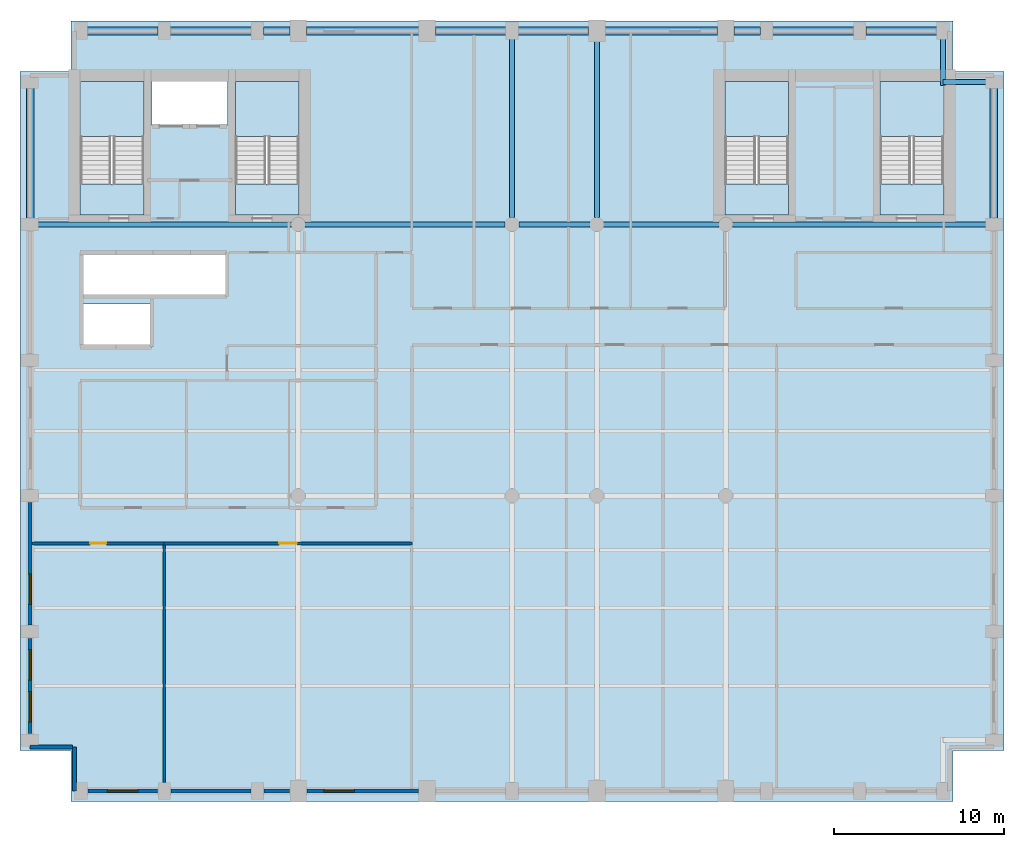
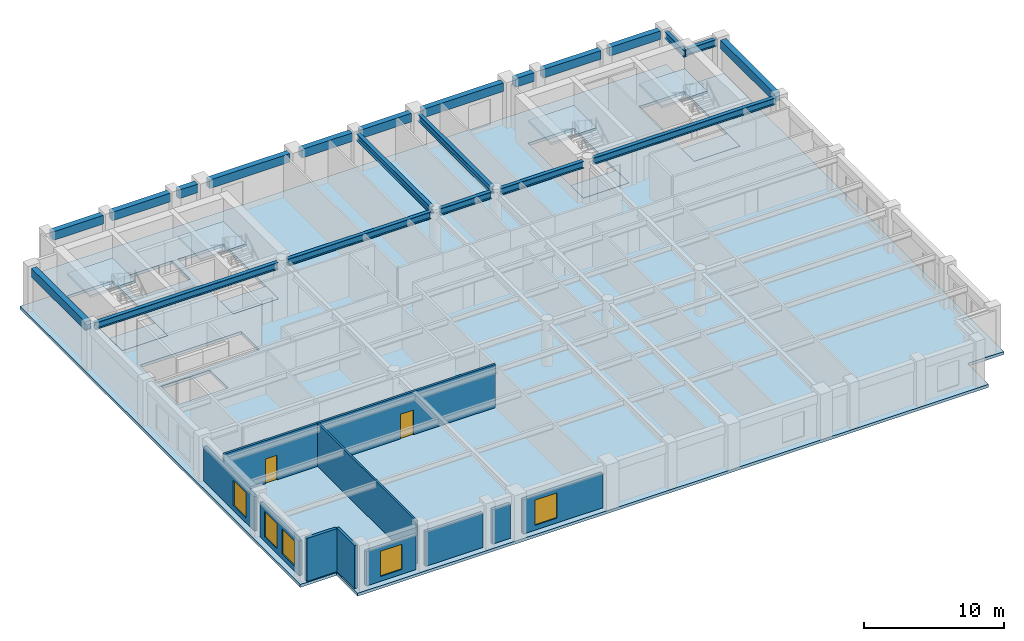
# One storey, part 2 of 8: 21 beams, 11 walls, 9 slabs, 5 windows, 2 doors, 7 openings, 4 elements without a shape of their own.
"""IFC4 building model written with IfcOpenShell, lengths in metres."""

from ifc_helpers import new_model, si_unit, direction, frame, frame_2d, origin, origin_2d, place, context, subcontext, project, spatial, polyline, rectangle, i_section, outline, extrude, material, layer, layer_set, material_profile, profile_set, type_object, element, fill, aggregate, save


model = new_model("IFC4")

# Units and contexts
model_context = context("Model", 3, precision=1e-05, world=origin(), true_north=direction((0.0, 1.0)))
body_context = subcontext(model_context, "Body", "Model", "MODEL_VIEW")
ifc_project = project(units=[si_unit("LENGTHUNIT", "METRE"), si_unit("AREAUNIT", "SQUARE_METRE"), si_unit("VOLUMEUNIT", "CUBIC_METRE"), si_unit("PLANEANGLEUNIT", "RADIAN"), si_unit("MASSUNIT", "GRAM", prefix="KILO")], contexts=[model_context])

# Site, building, storey
site_placement = place(None, origin())
site = spatial("IfcSite", under=ifc_project, at=site_placement, CompositionType="ELEMENT")
building_placement = place(site_placement, origin())
building = spatial("IfcBuilding", under=site, at=building_placement, Name="Sulina Concourse Tower", CompositionType="ELEMENT")
storey_placement = place(building_placement, frame((0.0, 0.0, 230.60009765625)))
storey = spatial("IfcBuildingStorey", under=building, at=storey_placement, Name="L56", CompositionType="ELEMENT", Elevation=230.60009765625)

# Beams
ifc_material_1 = material(Name="Steel S355", Category="steel")
ifc_material_profile_1 = material_profile(ifc_material_1, i_section(OverallWidth=0.300048828125, OverallDepth=0.60009765625, WebThickness=0.015380859375, FlangeThickness=0.030029296875, at=origin_2d()), Name="HE 600 B")
ifc_profile_set_1 = profile_set([ifc_material_profile_1], Name="Steel S355")
beam_type_1 = type_object("IfcBeamType", Name="Floor Primary Girder Zone 3 HE600B", PredefinedType="BEAM", material=ifc_profile_set_1)
beam_1_placement = place(storey_placement, frame((54.39990234375, 42.39990234375, 3.449951171875), z_axis=(1.0, 0.0, 0.0), x_axis=(0.0, 1.0, 0.0)))
element("IfcBeam", 1, at=beam_1_placement, inside=storey, type_object=beam_type_1, Name="TIE-NE-L56", PredefinedType="BEAM", context=body_context, shape_type="SweptSolid", body=[
    extrude(i_section(OverallWidth=0.300048828125, OverallDepth=0.60009765625, WebThickness=0.015380859375, FlangeThickness=0.030029296875, at=origin_2d()), origin(), (0.0, 0.0, 1.0), 2.64501953125),
])
beam_2_placement = place(storey_placement, frame((54.39990234375, 42.199951171875, 3.449951171875), z_axis=(0.0, 1.0, 0.0), x_axis=(-1.0, 0.0, 0.0)))
element("IfcBeam", 2, at=beam_2_placement, inside=storey, type_object=beam_type_1, Name="TIE-NEN-L56", PredefinedType="BEAM", context=body_context, shape_type="SweptSolid", body=[
    extrude(i_section(OverallWidth=0.300048828125, OverallDepth=0.60009765625, WebThickness=0.015380859375, FlangeThickness=0.030029296875, at=origin_2d()), origin(), (0.0, 0.0, 1.0), 2.844970703125),
])
beam_3_placement = place(storey_placement, frame((0.955078125, 34.0, 3.449951171875), z_axis=(1.0, 0.0, 0.0), x_axis=(0.0, 1.0, 0.0)))
element("IfcBeam", 3, at=beam_3_placement, inside=storey, type_object=beam_type_1, Name="FG-EWN1-L56", PredefinedType="BEAM", context=body_context, shape_type="SweptSolid", body=[
    extrude(i_section(OverallWidth=0.300048828125, OverallDepth=0.60009765625, WebThickness=0.015380859375, FlangeThickness=0.030029296875, at=origin_2d()), origin(), (0.0, 0.0, 1.0), 15.0400390625),
])
beam_4_placement = place(storey_placement, frame((16.804931640625, 34.0, 3.449951171875), z_axis=(1.0, 0.0, 0.0), x_axis=(0.0, 1.0, 0.0)))
element("IfcBeam", 4, at=beam_4_placement, inside=storey, type_object=beam_type_1, Name="FG-EWN2-L56", PredefinedType="BEAM", context=body_context, shape_type="SweptSolid", body=[
    extrude(i_section(OverallWidth=0.300048828125, OverallDepth=0.60009765625, WebThickness=0.015380859375, FlangeThickness=0.030029296875, at=origin_2d()), origin(), (0.0, 0.0, 1.0), 11.7900390625),
])
beam_5_placement = place(storey_placement, frame((29.405029296875, 34.0, 3.449951171875), z_axis=(1.0, 0.0, 0.0), x_axis=(0.0, 1.0, 0.0)))
element("IfcBeam", 5, at=beam_5_placement, inside=storey, type_object=beam_type_1, Name="FG-EWN3-L56", PredefinedType="BEAM", context=body_context, shape_type="SweptSolid", body=[
    extrude(i_section(OverallWidth=0.300048828125, OverallDepth=0.60009765625, WebThickness=0.015380859375, FlangeThickness=0.030029296875, at=origin_2d()), origin(), (0.0, 0.0, 1.0), 4.18994140625),
])
beam_6_placement = place(storey_placement, frame((34.405029296875, 34.0, 3.449951171875), z_axis=(1.0, 0.0, 0.0), x_axis=(0.0, 1.0, 0.0)))
element("IfcBeam", 6, at=beam_6_placement, inside=storey, type_object=beam_type_1, Name="FG-EWN4-L56", PredefinedType="BEAM", context=body_context, shape_type="SweptSolid", body=[
    extrude(i_section(OverallWidth=0.300048828125, OverallDepth=0.60009765625, WebThickness=0.015380859375, FlangeThickness=0.030029296875, at=origin_2d()), origin(), (0.0, 0.0, 1.0), 6.7900390625),
])
beam_7_placement = place(storey_placement, frame((42.0048828125, 34.0, 3.449951171875), z_axis=(1.0, 0.0, 0.0), x_axis=(0.0, 1.0, 0.0)))
element("IfcBeam", 7, at=beam_7_placement, inside=storey, type_object=beam_type_1, Name="FG-EWN5-L56", PredefinedType="BEAM", context=body_context, shape_type="SweptSolid", body=[
    extrude(i_section(OverallWidth=0.300048828125, OverallDepth=0.60009765625, WebThickness=0.015380859375, FlangeThickness=0.030029296875, at=origin_2d()), origin(), (0.0, 0.0, 1.0), 15.0400390625),
])
beam_8_placement = place(storey_placement, frame((29.0, 34.405029296875, 3.449951171875), z_axis=(0.0, 1.0, 0.0), x_axis=(-1.0, 0.0, 0.0)))
element("IfcBeam", 8, at=beam_8_placement, inside=storey, type_object=beam_type_1, Name="FG-NSC-29-L56", PredefinedType="BEAM", context=body_context, shape_type="SweptSolid", body=[
    extrude(i_section(OverallWidth=0.300048828125, OverallDepth=0.60009765625, WebThickness=0.015380859375, FlangeThickness=0.030029296875, at=origin_2d()), origin(), (0.0, 0.0, 1.0), 10.639892578125),
])
beam_9_placement = place(storey_placement, frame((34.0, 34.405029296875, 3.449951171875), z_axis=(0.0, 1.0, 0.0), x_axis=(-1.0, 0.0, 0.0)))
element("IfcBeam", 9, at=beam_9_placement, inside=storey, type_object=beam_type_1, Name="FG-NSC-34-L56", PredefinedType="BEAM", context=body_context, shape_type="SweptSolid", body=[
    extrude(i_section(OverallWidth=0.300048828125, OverallDepth=0.60009765625, WebThickness=0.015380859375, FlangeThickness=0.030029296875, at=origin_2d()), origin(), (0.0, 0.0, 1.0), 10.514892578125),
])
ifc_material_2 = material(Name="Precast concrete C50/60", Category="concrete")
ifc_material_profile_2 = material_profile(ifc_material_2, rectangle(XDim=0.449951171875, YDim=0.75, at=origin_2d()), Name="RC 450x750")
ifc_profile_set_2 = profile_set([ifc_material_profile_2], Name="Precast concrete C50/60")
beam_type_2 = type_object("IfcBeamType", Name="Upper Precast Spandrel Edge Beam 450x750", PredefinedType="BEAM", material=ifc_profile_set_2)
beam_10_placement = place(storey_placement, frame((3.955078125, 45.39990234375, 3.375), z_axis=(1.0, 0.0, 0.0), x_axis=(0.0, 1.0, 0.0)))
element("IfcBeam", 10, at=beam_10_placement, inside=storey, type_object=beam_type_2, Name="SP-N1-L56", PredefinedType="BEAM", context=body_context, shape_type="SweptSolid", body=[
    extrude(rectangle(XDim=0.449951171875, YDim=0.75, at=origin_2d()), origin(), (0.0, 0.0, 1.0), 4.18994140625),
])
beam_11_placement = place(storey_placement, frame((8.85498046875, 45.39990234375, 3.375), z_axis=(1.0, 0.0, 0.0), x_axis=(0.0, 1.0, 0.0)))
element("IfcBeam", 11, at=beam_11_placement, inside=storey, type_object=beam_type_2, Name="SP-N2-L56", PredefinedType="BEAM", context=body_context, shape_type="SweptSolid", body=[
    extrude(rectangle(XDim=0.449951171875, YDim=0.75, at=origin_2d()), origin(), (0.0, 0.0, 1.0), 4.7900390625),
])
beam_12_placement = place(storey_placement, frame((14.35498046875, 45.39990234375, 3.375), z_axis=(1.0, 0.0, 0.0), x_axis=(0.0, 1.0, 0.0)))
element("IfcBeam", 12, at=beam_12_placement, inside=storey, type_object=beam_type_2, Name="SP-N3-L56", PredefinedType="BEAM", context=body_context, shape_type="SweptSolid", body=[
    extrude(rectangle(XDim=0.449951171875, YDim=0.75, at=origin_2d()), origin(), (0.0, 0.0, 1.0), 1.56494140625),
])
beam_13_placement = place(storey_placement, frame((16.8798828125, 45.39990234375, 3.375), z_axis=(1.0, 0.0, 0.0), x_axis=(0.0, 1.0, 0.0)))
element("IfcBeam", 13, at=beam_13_placement, inside=storey, type_object=beam_type_2, Name="SP-N4-L56", PredefinedType="BEAM", context=body_context, shape_type="SweptSolid", body=[
    extrude(rectangle(XDim=0.449951171875, YDim=0.75, at=origin_2d()), origin(), (0.0, 0.0, 1.0), 6.64013671875),
])
for number, where, z_axis, x_axis, name in (
    (14, (24.47998046875, 45.39990234375, 3.375), (1.0, 0.0, 0.0), (0.0, 1.0, 0.0), "SP-N5-L56"),
    (15, (29.35498046875, 45.39990234375, 3.375), (1.0, 0.0, 0.0), (0.0, 1.0, 0.0), "SP-N6-L56"),
):
    element("IfcBeam", number, at=place(storey_placement, frame(where, z_axis=z_axis, x_axis=x_axis)), inside=storey, type_object=beam_type_2, Name=name, PredefinedType="BEAM", context=body_context, shape_type="SweptSolid", body=[
        extrude(rectangle(XDim=0.449951171875, YDim=0.75, at=origin_2d()), origin(), (0.0, 0.0, 1.0), 4.1650390625),
    ])
beam_14_placement = place(storey_placement, frame((34.47998046875, 45.39990234375, 3.375), z_axis=(1.0, 0.0, 0.0), x_axis=(0.0, 1.0, 0.0)))
element("IfcBeam", 16, at=beam_14_placement, inside=storey, type_object=beam_type_2, Name="SP-N7-L56", PredefinedType="BEAM", context=body_context, shape_type="SweptSolid", body=[
    extrude(rectangle(XDim=0.449951171875, YDim=0.75, at=origin_2d()), origin(), (0.0, 0.0, 1.0), 6.64013671875),
])
beam_15_placement = place(storey_placement, frame((42.080078125, 45.39990234375, 3.375), z_axis=(1.0, 0.0, 0.0), x_axis=(0.0, 1.0, 0.0)))
element("IfcBeam", 17, at=beam_15_placement, inside=storey, type_object=beam_type_2, Name="SP-N8-L56", PredefinedType="BEAM", context=body_context, shape_type="SweptSolid", body=[
    extrude(rectangle(XDim=0.449951171875, YDim=0.75, at=origin_2d()), origin(), (0.0, 0.0, 1.0), 1.56494140625),
])
beam_16_placement = place(storey_placement, frame((44.35498046875, 45.39990234375, 3.375), z_axis=(1.0, 0.0, 0.0), x_axis=(0.0, 1.0, 0.0)))
element("IfcBeam", 18, at=beam_16_placement, inside=storey, type_object=beam_type_2, Name="SP-N9-L56", PredefinedType="BEAM", context=body_context, shape_type="SweptSolid", body=[
    extrude(rectangle(XDim=0.449951171875, YDim=0.75, at=origin_2d()), origin(), (0.0, 0.0, 1.0), 4.7900390625),
])
beam_17_placement = place(storey_placement, frame((49.85498046875, 45.39990234375, 3.375), z_axis=(1.0, 0.0, 0.0), x_axis=(0.0, 1.0, 0.0)))
element("IfcBeam", 19, at=beam_17_placement, inside=storey, type_object=beam_type_2, Name="SP-N10-L56", PredefinedType="BEAM", context=body_context, shape_type="SweptSolid", body=[
    extrude(rectangle(XDim=0.449951171875, YDim=0.75, at=origin_2d()), origin(), (0.0, 0.0, 1.0), 4.18994140625),
])
for number, where, z_axis, x_axis, name in (
    (20, (0.60009765625, 34.35498046875, 3.375), (0.0, 1.0, 0.0), (-1.0, 0.0, 0.0), "SP-W5-L56"),
    (21, (57.39990234375, 34.35498046875, 3.375), (0.0, 1.0, 0.0), (-1.0, 0.0, 0.0), "SP-E5-L56"),
):
    element("IfcBeam", number, at=place(storey_placement, frame(where, z_axis=z_axis, x_axis=x_axis)), inside=storey, type_object=beam_type_2, Name=name, PredefinedType="BEAM", context=body_context, shape_type="SweptSolid", body=[
        extrude(rectangle(XDim=0.449951171875, YDim=0.75, at=origin_2d()), origin(), (0.0, 0.0, 1.0), 7.68994140625),
    ])

# Slabs
ifc_material_3 = material(Name="Concrete C50/60", Category="concrete")
ifc_layer_1 = layer(ifc_material_3, 0.25)
ifc_layer_set_1 = layer_set([ifc_layer_1], Name="Concrete C50/60")
slab_type_1 = type_object("IfcSlabType", Name="High-Rise Composite Floor Slab 250mm", PredefinedType="FLOOR", material=ifc_layer_set_1)
slab_1_placement = place(storey_placement, frame((0.0, 0.0, -0.25)))
element("IfcSlab", 22, at=slab_1_placement, inside=storey, type_object=slab_type_1, Name="L56 structural floor slab", PredefinedType="FLOOR", context=body_context, shape_type="SweptSolid", body=[
    extrude(outline(polyline([(3.0, 0.0), (55.0, 0.0), (55.0, 3.0), (58.0, 3.0), (58.0, 43.0), (55.0, 43.0), (55.0, 46.0), (3.0, 46.0), (3.0, 43.0), (0.0, 43.0), (0.0, 3.0), (3.0, 3.0), (3.0, 0.0)]), holes=[polyline([(7.31005859375, 34.550048828125), (7.31005859375, 42.429931640625), (3.550048828125, 42.429931640625), (3.550048828125, 34.550048828125), (7.31005859375, 34.550048828125)]), polyline([(16.449951171875, 34.550048828125), (16.449951171875, 42.429931640625), (12.68994140625, 42.429931640625), (12.68994140625, 34.550048828125), (16.449951171875, 34.550048828125)]), polyline([(45.31005859375, 34.550048828125), (45.31005859375, 42.429931640625), (41.550048828125, 42.429931640625), (41.550048828125, 34.550048828125), (45.31005859375, 34.550048828125)]), polyline([(54.449951171875, 34.550048828125), (54.449951171875, 42.429931640625), (50.68994140625, 42.429931640625), (50.68994140625, 34.550048828125), (54.449951171875, 34.550048828125)]), polyline([(7.780029296875, 39.830078125), (12.219970703125, 39.830078125), (12.219970703125, 42.449951171875), (7.780029296875, 42.449951171875), (7.780029296875, 39.830078125)]), polyline([(3.739990234375, 26.780029296875), (7.77001953125, 26.780029296875), (7.77001953125, 29.320068359375), (3.739990234375, 29.320068359375), (3.739990234375, 26.780029296875)]), polyline([(3.739990234375, 29.780029296875), (12.10009765625, 29.780029296875), (12.10009765625, 32.3701171875), (3.739990234375, 32.3701171875), (3.739990234375, 29.780029296875)])]), origin(), (0.0, 0.0, 1.0), 0.25),
])
ifc_material_4 = material(Name="Concrete C50/60", Category="concrete")
ifc_layer_2 = layer(ifc_material_4, 0.199951171875)
ifc_layer_set_2 = layer_set([ifc_layer_2], Name="Concrete C50/60")
slab_type_2 = type_object("IfcSlabType", Name="Primary Core Stair Landing Slab 200mm", PredefinedType="LANDING", material=ifc_layer_set_2)
slab_2_placement = place(storey_placement, frame((0.0, 0.0, -0.2001953125)))
element("IfcSlab", 23, at=slab_2_placement, inside=storey, type_object=slab_type_2, Name="L56 ST-1 floor landing slab", PredefinedType="LANDING", context=body_context, shape_type="SweptSolid", body=[
    extrude(outline(polyline([(7.31005859375, 34.550048828125), (7.31005859375, 36.375), (3.550048828125, 36.375), (3.550048828125, 34.550048828125), (7.31005859375, 34.550048828125)])), origin(), (0.0, 0.0, 1.0), 0.2001953125),
])
slab_3_placement = place(storey_placement, frame((0.0, 0.0, -0.2001953125)))
element("IfcSlab", 24, at=slab_3_placement, inside=storey, type_object=slab_type_2, Name="L56 ST-2 floor landing slab", PredefinedType="LANDING", context=body_context, shape_type="SweptSolid", body=[
    extrude(outline(polyline([(16.449951171875, 34.550048828125), (16.449951171875, 36.375), (12.68994140625, 36.375), (12.68994140625, 34.550048828125), (16.449951171875, 34.550048828125)])), origin(), (0.0, 0.0, 1.0), 0.2001953125),
])
slab_4_placement = place(storey_placement, frame((0.0, 0.0, -0.2001953125)))
element("IfcSlab", 25, at=slab_4_placement, inside=storey, type_object=slab_type_2, Name="L56 ST-3 floor landing slab", PredefinedType="LANDING", context=body_context, shape_type="SweptSolid", body=[
    extrude(outline(polyline([(45.31005859375, 34.550048828125), (45.31005859375, 36.375), (41.550048828125, 36.375), (41.550048828125, 34.550048828125), (45.31005859375, 34.550048828125)])), origin(), (0.0, 0.0, 1.0), 0.2001953125),
])
slab_5_placement = place(storey_placement, frame((0.0, 0.0, -0.2001953125)))
element("IfcSlab", 26, at=slab_5_placement, inside=storey, type_object=slab_type_2, Name="L56 ST-4 floor landing slab", PredefinedType="LANDING", context=body_context, shape_type="SweptSolid", body=[
    extrude(outline(polyline([(54.449951171875, 34.550048828125), (54.449951171875, 36.375), (50.68994140625, 36.375), (50.68994140625, 34.550048828125), (54.449951171875, 34.550048828125)])), origin(), (0.0, 0.0, 1.0), 0.2001953125),
])

# Stair, slab
ifc_material_5 = material(Name="Concrete C50/60", Category="concrete")
stair_type_1 = type_object("IfcStairType", Name="Primary Core Dog-Leg Exit Stair 1800mm", PredefinedType="HALF_TURN_STAIR", material=ifc_material_5)
stair_1_placement = place(storey_placement, origin())
stair_1 = element("IfcStair", 27, at=stair_1_placement, inside=storey, type_object=stair_type_1, Name="L56 ST-1", PredefinedType="HALF_TURN_STAIR")
slab_6_placement = place(storey_placement, frame((0.0, 0.0, 1.7998046875)))
slab_6 = element("IfcSlab", 28, at=slab_6_placement, type_object=slab_type_2, Name="ST-1 landing 1", PredefinedType="LANDING", context=body_context, shape_type="SweptSolid", body=[
    extrude(outline(polyline([(7.304931640625, 39.175048828125), (7.304931640625, 42.425048828125), (3.554931640625, 42.425048828125), (3.554931640625, 39.175048828125), (7.304931640625, 39.175048828125)])), origin(), (0.0, 0.0, 1.0), 0.2001953125),
])
aggregate(stair_1, [slab_6])

stair_2_placement = place(storey_placement, origin())
stair_2 = element("IfcStair", 29, at=stair_2_placement, inside=storey, type_object=stair_type_1, Name="L56 ST-2", PredefinedType="HALF_TURN_STAIR")
slab_7_placement = place(storey_placement, frame((0.0, 0.0, 1.7998046875)))
slab_7 = element("IfcSlab", 30, at=slab_7_placement, type_object=slab_type_2, Name="ST-2 landing 1", PredefinedType="LANDING", context=body_context, shape_type="SweptSolid", body=[
    extrude(outline(polyline([(16.445068359375, 39.175048828125), (16.445068359375, 42.425048828125), (12.695068359375, 42.425048828125), (12.695068359375, 39.175048828125), (16.445068359375, 39.175048828125)])), origin(), (0.0, 0.0, 1.0), 0.2001953125),
])
aggregate(stair_2, [slab_7])

ifc_material_6 = material(Name="Concrete C50/60", Category="concrete")
stair_type_2 = type_object("IfcStairType", Name="Portal & Podium Core Exit Stair 1820mm", PredefinedType="HALF_TURN_STAIR", material=ifc_material_6)
stair_3_placement = place(storey_placement, origin())
stair_3 = element("IfcStair", 31, at=stair_3_placement, inside=storey, type_object=stair_type_2, Name="L56 ST-3", PredefinedType="HALF_TURN_STAIR")
slab_8_placement = place(storey_placement, frame((0.0, 0.0, 1.7998046875)))
slab_8 = element("IfcSlab", 32, at=slab_8_placement, type_object=slab_type_2, Name="ST-3 landing 1", PredefinedType="LANDING", context=body_context, shape_type="SweptSolid", body=[
    extrude(outline(polyline([(45.304931640625, 39.175048828125), (45.304931640625, 42.425048828125), (41.554931640625, 42.425048828125), (41.554931640625, 39.175048828125), (45.304931640625, 39.175048828125)])), origin(), (0.0, 0.0, 1.0), 0.2001953125),
])
aggregate(stair_3, [slab_8])

stair_4_placement = place(storey_placement, origin())
stair_4 = element("IfcStair", 33, at=stair_4_placement, inside=storey, type_object=stair_type_2, Name="L56 ST-4", PredefinedType="HALF_TURN_STAIR")
slab_9_placement = place(storey_placement, frame((0.0, 0.0, 1.7998046875)))
slab_9 = element("IfcSlab", 34, at=slab_9_placement, type_object=slab_type_2, Name="ST-4 landing 1", PredefinedType="LANDING", context=body_context, shape_type="SweptSolid", body=[
    extrude(outline(polyline([(54.445068359375, 39.175048828125), (54.445068359375, 42.425048828125), (50.695068359375, 42.425048828125), (50.695068359375, 39.175048828125), (54.445068359375, 39.175048828125)])), origin(), (0.0, 0.0, 1.0), 0.2001953125),
])
aggregate(stair_4, [slab_9])

# Wall, opening, window
ifc_material_7 = material(Name="Precast concrete C50/60", Category="concrete")
ifc_layer_3 = layer(ifc_material_7, 0.239990234375)
ifc_layer_set_3 = layer_set([ifc_layer_3], Name="Precast concrete C50/60")
wall_type_1 = type_object("IfcWallType", Name="Crown Precast Masonry-Frame Facade Wall 240mm", PredefinedType="SOLIDWALL", material=ifc_layer_set_3)
wall_1_placement = place(storey_placement, frame((8.10498046875, 0.60009765625, 0.0), z_axis=(0.0, 0.0, 1.0), x_axis=(-1.0, 0.0, 0.0)))
wall_1 = element("IfcWall", 35, at=wall_1_placement, inside=storey, type_object=wall_type_1, Name="L56 exterior precast wall S1", PredefinedType="SOLIDWALL", context=body_context, shape_type="SweptSolid", body=[
    extrude(rectangle(XDim=4.10986328125, YDim=0.239990234375, at=frame_2d((2.054931640625, 0.0))), origin(), (0.0, 0.0, 1.0), 3.0),
])
opening_1_placement = place(wall_1_placement, frame((1.155029296875, 0.0, 0.419921875)))
opening_1 = element("IfcOpeningElement", 36, at=opening_1_placement, cuts=wall_1, Name="Opening WN-25", PredefinedType="OPENING", context=body_context, shape_type="SweptSolid", body=[
    extrude(rectangle(XDim=1.800048828125, YDim=2.199951171875, at=frame_2d((0.89990234375, 1.10009765625))), frame((0.0, 0.1298828125, 0.0), z_axis=(0.0, -1.0, 0.0), x_axis=(1.0, 0.0, 0.0)), (0.0, 0.0, 1.0), 0.260009765625),
])
ifc_material_8 = material(Name="Low-E solar double glazing in bronze aluminium", Category="aluminium")
window_type = type_object("IfcWindowType", Name="Punched Masonry-Frame Window 1800x2200", PartitioningType="SINGLE_PANEL", PredefinedType="WINDOW", material=ifc_material_8)
window_1_placement = place(opening_1_placement, origin())
window_1 = element("IfcWindow", 37, at=window_1_placement, inside=storey, type_object=window_type, Name="L56 punched window S1-1", OverallHeight=2.199951171875, OverallWidth=1.800048828125, PartitioningType="SINGLE_PANEL", PredefinedType="WINDOW", context=body_context, shape_type="SweptSolid", body=[
    extrude(rectangle(XDim=1.800048828125, YDim=2.199951171875, at=frame_2d((0.89990234375, 1.10009765625))), frame((0.0, 0.030029296875, 0.0), z_axis=(0.0, -1.0, 0.0), x_axis=(1.0, 0.0, 0.0)), (0.0, 0.0, 1.0), 0.06005859375),
])
fill(opening_1, window_1)

# Walls
wall_2_placement = place(storey_placement, frame((13.60498046875, 0.60009765625, 0.0), z_axis=(0.0, 0.0, 1.0), x_axis=(-1.0, 0.0, 0.0)))
element("IfcWall", 38, at=wall_2_placement, inside=storey, type_object=wall_type_1, Name="L56 exterior precast wall S2", PredefinedType="SOLIDWALL", context=body_context, shape_type="SweptSolid", body=[
    extrude(rectangle(XDim=4.7099609375, YDim=0.239990234375, at=frame_2d((2.35498046875, 0.0))), origin(), (0.0, 0.0, 1.0), 3.0),
])
wall_3_placement = place(storey_placement, frame((15.8798828125, 0.60009765625, 0.0), z_axis=(0.0, 0.0, 1.0), x_axis=(-1.0, 0.0, 0.0)))
element("IfcWall", 39, at=wall_3_placement, inside=storey, type_object=wall_type_1, Name="L56 exterior precast wall S3", PredefinedType="SOLIDWALL", context=body_context, shape_type="SweptSolid", body=[
    extrude(rectangle(XDim=1.48486328125, YDim=0.239990234375, at=frame_2d((0.742431640625, 0.0))), origin(), (0.0, 0.0, 1.0), 3.0),
])

# Wall, opening, window
wall_4_placement = place(storey_placement, frame((23.47998046875, 0.60009765625, 0.0), z_axis=(0.0, 0.0, 1.0), x_axis=(-1.0, 0.0, 0.0)))
wall_4 = element("IfcWall", 40, at=wall_4_placement, inside=storey, type_object=wall_type_1, Name="L56 exterior precast wall S4", PredefinedType="SOLIDWALL", context=body_context, shape_type="SweptSolid", body=[
    extrude(rectangle(XDim=6.56005859375, YDim=0.239990234375, at=frame_2d((3.280029296875, 0.0))), origin(), (0.0, 0.0, 1.0), 3.0),
])
opening_2_placement = place(wall_4_placement, frame((3.773193359375, 0.0, 0.419921875)))
opening_2 = element("IfcOpeningElement", 41, at=opening_2_placement, cuts=wall_4, Name="Opening WN-25", PredefinedType="OPENING", context=body_context, shape_type="SweptSolid", body=[
    extrude(rectangle(XDim=1.800048828125, YDim=2.199951171875, at=frame_2d((0.89990234375, 1.10009765625))), frame((0.0, 0.1298828125, 0.0), z_axis=(0.0, -1.0, 0.0), x_axis=(1.0, 0.0, 0.0)), (0.0, 0.0, 1.0), 0.260009765625),
])
window_2_placement = place(opening_2_placement, origin())
window_2 = element("IfcWindow", 42, at=window_2_placement, inside=storey, type_object=window_type, Name="L56 punched window S4-1", OverallHeight=2.199951171875, OverallWidth=1.800048828125, PartitioningType="SINGLE_PANEL", PredefinedType="WINDOW", context=body_context, shape_type="SweptSolid", body=[
    extrude(rectangle(XDim=1.800048828125, YDim=2.199951171875, at=frame_2d((0.89990234375, 1.10009765625))), frame((0.0, 0.030029296875, 0.0), z_axis=(0.0, -1.0, 0.0), x_axis=(1.0, 0.0, 0.0)), (0.0, 0.0, 1.0), 0.06005859375),
])
fill(opening_2, window_2)

# Wall, openings, windows
wall_5_placement = place(storey_placement, frame((0.60009765625, 3.9951171875, 0.0), z_axis=(0.0, 0.0, 1.0), x_axis=(0.0, 1.0, 0.0)))
wall_5 = element("IfcWall", 43, at=wall_5_placement, inside=storey, type_object=wall_type_1, Name="L56 exterior precast wall W1", PredefinedType="SOLIDWALL", context=body_context, shape_type="SweptSolid", body=[
    extrude(rectangle(XDim=5.60986328125, YDim=0.239990234375, at=frame_2d((2.804931640625, 0.0))), origin(), (0.0, 0.0, 1.0), 3.0),
])
opening_3_placement = place(wall_5_placement, frame((0.669921875, 0.0, 0.419921875)))
opening_3 = element("IfcOpeningElement", 44, at=opening_3_placement, cuts=wall_5, Name="Opening WN-25", PredefinedType="OPENING", context=body_context, shape_type="SweptSolid", body=[
    extrude(rectangle(XDim=1.800048828125, YDim=2.199951171875, at=frame_2d((0.89990234375, 1.10009765625))), frame((0.0, 0.1298828125, 0.0), z_axis=(0.0, -1.0, 0.0), x_axis=(1.0, 0.0, 0.0)), (0.0, 0.0, 1.0), 0.260009765625),
])
opening_4_placement = place(wall_5_placement, frame((3.139892578125, 0.0, 0.419921875)))
opening_4 = element("IfcOpeningElement", 45, at=opening_4_placement, cuts=wall_5, Name="Opening WN-25", PredefinedType="OPENING", context=body_context, shape_type="SweptSolid", body=[
    extrude(rectangle(XDim=1.800048828125, YDim=2.199951171875, at=frame_2d((0.89990234375, 1.10009765625))), frame((0.0, 0.1298828125, 0.0), z_axis=(0.0, -1.0, 0.0), x_axis=(1.0, 0.0, 0.0)), (0.0, 0.0, 1.0), 0.260009765625),
])
window_3_placement = place(opening_3_placement, origin())
window_3 = element("IfcWindow", 46, at=window_3_placement, inside=storey, type_object=window_type, Name="L56 punched window W1-1", OverallHeight=2.199951171875, OverallWidth=1.800048828125, PartitioningType="SINGLE_PANEL", PredefinedType="WINDOW", context=body_context, shape_type="SweptSolid", body=[
    extrude(rectangle(XDim=1.800048828125, YDim=2.199951171875, at=frame_2d((0.89990234375, 1.10009765625))), frame((0.0, 0.030029296875, 0.0), z_axis=(0.0, -1.0, 0.0), x_axis=(1.0, 0.0, 0.0)), (0.0, 0.0, 1.0), 0.06005859375),
])
fill(opening_3, window_3)
window_4_placement = place(opening_4_placement, origin())
window_4 = element("IfcWindow", 47, at=window_4_placement, inside=storey, type_object=window_type, Name="L56 punched window W1-2", OverallHeight=2.199951171875, OverallWidth=1.800048828125, PartitioningType="SINGLE_PANEL", PredefinedType="WINDOW", context=body_context, shape_type="SweptSolid", body=[
    extrude(rectangle(XDim=1.800048828125, YDim=2.199951171875, at=frame_2d((0.89990234375, 1.10009765625))), frame((0.0, 0.030029296875, 0.0), z_axis=(0.0, -1.0, 0.0), x_axis=(1.0, 0.0, 0.0)), (0.0, 0.0, 1.0), 0.06005859375),
])
fill(opening_4, window_4)

# Wall, opening, window
wall_6_placement = place(storey_placement, frame((0.60009765625, 10.39501953125, 0.0), z_axis=(0.0, 0.0, 1.0), x_axis=(0.0, 1.0, 0.0)))
wall_6 = element("IfcWall", 48, at=wall_6_placement, inside=storey, type_object=wall_type_1, Name="L56 exterior precast wall W2", PredefinedType="SOLIDWALL", context=body_context, shape_type="SweptSolid", body=[
    extrude(rectangle(XDim=7.2099609375, YDim=0.239990234375, at=frame_2d((3.60498046875, 0.0))), origin(), (0.0, 0.0, 1.0), 3.0),
])
opening_5_placement = place(wall_6_placement, frame((1.203369140625, 0.0, 0.419921875)))
opening_5 = element("IfcOpeningElement", 49, at=opening_5_placement, cuts=wall_6, Name="Opening WN-25", PredefinedType="OPENING", context=body_context, shape_type="SweptSolid", body=[
    extrude(rectangle(XDim=1.800048828125, YDim=2.199951171875, at=frame_2d((0.89990234375, 1.10009765625))), frame((0.0, 0.1298828125, 0.0), z_axis=(0.0, -1.0, 0.0), x_axis=(1.0, 0.0, 0.0)), (0.0, 0.0, 1.0), 0.260009765625),
])
window_5_placement = place(opening_5_placement, origin())
window_5 = element("IfcWindow", 50, at=window_5_placement, inside=storey, type_object=window_type, Name="L56 punched window W2-1", OverallHeight=2.199951171875, OverallWidth=1.800048828125, PartitioningType="SINGLE_PANEL", PredefinedType="WINDOW", context=body_context, shape_type="SweptSolid", body=[
    extrude(rectangle(XDim=1.800048828125, YDim=2.199951171875, at=frame_2d((0.89990234375, 1.10009765625))), frame((0.0, 0.030029296875, 0.0), z_axis=(0.0, -1.0, 0.0), x_axis=(1.0, 0.0, 0.0)), (0.0, 0.0, 1.0), 0.06005859375),
])
fill(opening_5, window_5)

# Walls
wall_7_placement = place(storey_placement, frame((3.205078125, 0.60009765625, 0.0), z_axis=(0.0, 0.0, 1.0), x_axis=(0.0, 1.0, 0.0)))
element("IfcWall", 51, at=wall_7_placement, inside=storey, type_object=wall_type_1, Name="L56 exterior precast wall CSW1", PredefinedType="SOLIDWALL", context=body_context, shape_type="SweptSolid", body=[
    extrude(rectangle(XDim=2.60498046875, YDim=0.239990234375, at=frame_2d((1.302490234375, 0.0))), origin(), (0.0, 0.0, 1.0), 3.75),
])
wall_8_placement = place(storey_placement, frame((3.080078125, 3.205078125, 0.0), z_axis=(0.0, 0.0, 1.0), x_axis=(-1.0, 0.0, 0.0)))
element("IfcWall", 52, at=wall_8_placement, inside=storey, type_object=wall_type_1, Name="L56 exterior precast wall CSW2", PredefinedType="SOLIDWALL", context=body_context, shape_type="SweptSolid", body=[
    extrude(rectangle(XDim=2.47998046875, YDim=0.239990234375, at=frame_2d((1.239990234375, 0.0))), origin(), (0.0, 0.0, 1.0), 3.75),
])
ifc_material_9 = material(Name="Gypsum board on steel stud", Category="steel")
ifc_layer_4 = layer(ifc_material_9, 0.14990234375)
ifc_layer_set_4 = layer_set([ifc_layer_4], Name="Gypsum board on steel stud")
wall_type_2 = type_object("IfcWallType", Name="Inter-Tenancy Acoustic Partition 150mm", PredefinedType="PARTITIONING", material=ifc_layer_set_4)
wall_9_placement = place(storey_placement, frame((8.5, 1.10009765625, 0.0), z_axis=(0.0, 0.0, 1.0), x_axis=(0.0, 1.0, 0.0)))
element("IfcWall", 53, at=wall_9_placement, inside=storey, type_object=wall_type_2, Name="L56 interior partition 031", PredefinedType="PARTITIONING", context=body_context, shape_type="SweptSolid", body=[
    extrude(rectangle(XDim=14.010009765625, YDim=0.14990234375, at=frame_2d((7.0048828125, 0.0))), origin(), (0.0, 0.0, 1.0), 3.75),
])

# Wall, opening, door
ifc_material_10 = material(Name="Gypsum board on steel stud", Category="steel")
ifc_layer_5 = layer(ifc_material_10, 0.179931640625)
ifc_layer_set_5 = layer_set([ifc_layer_5], Name="Gypsum board on steel stud")
wall_type_3 = type_object("IfcWallType", Name="Protected Corridor & Riser Partition 180mm", PredefinedType="PARTITIONING", material=ifc_layer_set_5)
wall_10_placement = place(storey_placement, frame((0.719970703125, 15.199951171875, 0.0), z_axis=(0.0, 0.0, 1.0), x_axis=(1.0, 0.0, 0.0)))
wall_10 = element("IfcWall", 54, at=wall_10_placement, inside=storey, type_object=wall_type_3, Name="L56 interior partition 001", PredefinedType="PARTITIONING", context=body_context, shape_type="SweptSolid", body=[
    extrude(rectangle(XDim=7.780029296875, YDim=0.179931640625, at=frame_2d((3.89013671875, 0.0))), origin(), (0.0, 0.0, 1.0), 3.75),
])
opening_6_placement = place(wall_10_placement, frame((3.4150390625, 0.0, 0.0)))
opening_6 = element("IfcOpeningElement", 55, at=opening_6_placement, cuts=wall_10, Name="Opening DR-19", PredefinedType="OPENING", context=body_context, shape_type="SweptSolid", body=[
    extrude(rectangle(XDim=0.949951171875, YDim=2.14990234375, at=frame_2d((0.47509765625, 1.074951171875))), frame((0.0, 0.099853515625, 0.0), z_axis=(0.0, -1.0, 0.0), x_axis=(1.0, 0.0, 0.0)), (0.0, 0.0, 1.0), 0.199951171875),
])
ifc_material_11 = material(Name="Oak-veneered acoustic timber leaf", Category="wood")
ifc_layer_6 = layer(ifc_material_11, 0.050048828125)
ifc_layer_set_6 = layer_set([ifc_layer_6], Name="Oak-veneered acoustic timber leaf")
door_type_1 = type_object("IfcDoorType", Name="Cellular Office & Meeting Door 950x2150", OperationType="NOTDEFINED", PredefinedType="DOOR", material=ifc_layer_set_6)
door_1_placement = place(opening_6_placement, origin())
door_1 = element("IfcDoor", 56, at=door_1_placement, inside=storey, type_object=door_type_1, Name="L56 interior door L56-S01", OperationType="SINGLE_SWING_LEFT", OverallHeight=2.14990234375, OverallWidth=0.949951171875, PredefinedType="DOOR", context=body_context, shape_type="SweptSolid", body=[
    extrude(rectangle(XDim=0.949951171875, YDim=2.14990234375, at=frame_2d((0.47509765625, 1.074951171875))), frame((0.0, 0.02490234375, 0.0), z_axis=(0.0, -1.0, 0.0), x_axis=(1.0, 0.0, 0.0)), (0.0, 0.0, 1.0), 0.050048828125),
])
fill(opening_6, door_1)

wall_11_placement = place(storey_placement, frame((8.5, 15.199951171875, 0.0), z_axis=(0.0, 0.0, 1.0), x_axis=(1.0, 0.0, 0.0)))
wall_11 = element("IfcWall", 57, at=wall_11_placement, inside=storey, type_object=wall_type_3, Name="L56 interior partition 002", PredefinedType="PARTITIONING", context=body_context, shape_type="SweptSolid", body=[
    extrude(rectangle(XDim=14.60009765625, YDim=0.179931640625, at=frame_2d((7.300048828125, 0.0))), origin(), (0.0, 0.0, 1.0), 3.75),
])
opening_7_placement = place(wall_11_placement, frame((6.77490234375, 0.0, 0.0)))
opening_7 = element("IfcOpeningElement", 58, at=opening_7_placement, cuts=wall_11, Name="Opening DR-37", PredefinedType="OPENING", context=body_context, shape_type="SweptSolid", body=[
    extrude(rectangle(XDim=1.050048828125, YDim=2.14990234375, at=frame_2d((0.52490234375, 1.074951171875))), frame((0.0, 0.099853515625, 0.0), z_axis=(0.0, -1.0, 0.0), x_axis=(1.0, 0.0, 0.0)), (0.0, 0.0, 1.0), 0.199951171875),
])
ifc_material_12 = material(Name="Oak-veneered fire door leaf")
ifc_layer_7 = layer(ifc_material_12, 0.050048828125)
ifc_layer_set_7 = layer_set([ifc_layer_7], Name="Oak-veneered fire door leaf")
door_type_2 = type_object("IfcDoorType", Name="Tenant Suite Entrance Fire Door 1050x2150", OperationType="NOTDEFINED", PredefinedType="DOOR", material=ifc_layer_set_7)
door_2_placement = place(opening_7_placement, origin())
door_2 = element("IfcDoor", 59, at=door_2_placement, inside=storey, type_object=door_type_2, Name="L56 interior door L56-S02", OperationType="SINGLE_SWING_RIGHT", OverallHeight=2.14990234375, OverallWidth=1.050048828125, PredefinedType="DOOR", context=body_context, shape_type="SweptSolid", body=[
    extrude(rectangle(XDim=1.050048828125, YDim=2.14990234375, at=frame_2d((0.52490234375, 1.074951171875))), frame((0.0, 0.02490234375, 0.0), z_axis=(0.0, -1.0, 0.0), x_axis=(1.0, 0.0, 0.0)), (0.0, 0.0, 1.0), 0.050048828125),
])
fill(opening_7, door_2)

save(model, "model.ifc")
